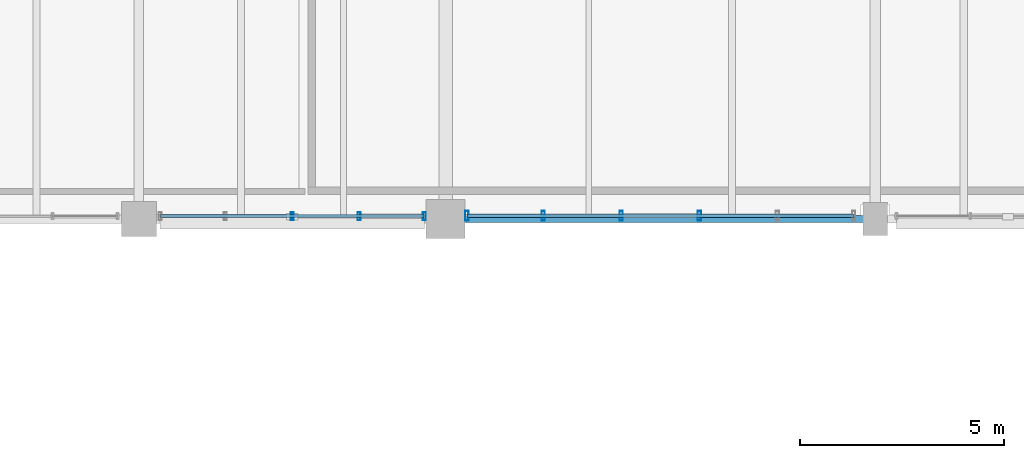
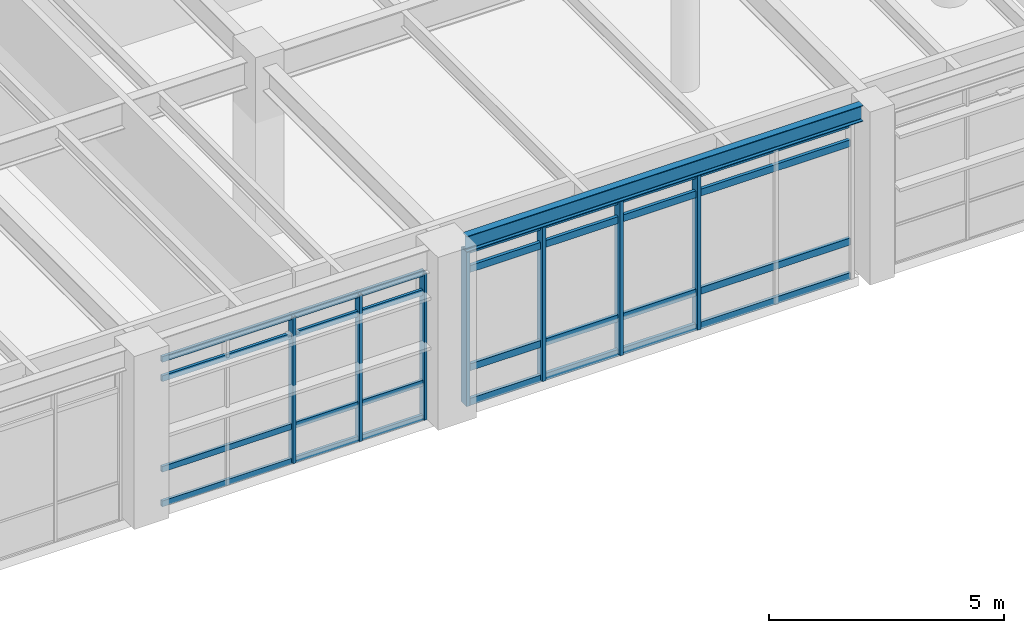
# One storey, part 59 of 200: 15 members, 1 beam, 2 elements without a shape of their own.
"""IFC4 building model written with IfcOpenShell, lengths in metres."""

import ifcopenshell
import ifcopenshell.guid

model = None  # the IFC model being written
_history = None  # IfcOwnerHistory: only IFC2X3 demands one
_inside = {}  # id of a spatial element -> (the spatial element, [elements in it])
_under = {}  # id of a project, library or spatial element -> (it, [spatial elements below it])
_declared = {}  # id of a project -> (the project, [libraries it declares])
_typed = {}  # id of a type object -> (the type object, [elements of that type])
_made_of = {}  # id of a material, layer set ... -> (it, [elements and type objects made of it])


def new_model(schema):
    """Start an empty IFC model of exactly this schema.

    Asked for "IFC4X3", IfcOpenShell would pick the latest addendum, in which some entities
    have other attributes; the version numbers below select the first issue.
    IFC2X3 requires an IfcOwnerHistory on every rooted entity: one is made here for all.
    """
    global model, _history
    if schema == "IFC4X3":
        model = ifcopenshell.file(schema_version=(4, 3, 0, 0))
    else:
        model = ifcopenshell.file(schema=schema)
    _inside.clear()
    _under.clear()
    _declared.clear()
    _typed.clear()
    _made_of.clear()
    _history = None
    if model.schema == "IFC2X3":
        org = make("IfcOrganization", Name="unknown")
        user = make(
            "IfcPersonAndOrganization",
            ThePerson=make("IfcPerson", FamilyName="unknown"),
            TheOrganization=org,
        )
        app = make(
            "IfcApplication",
            ApplicationDeveloper=org,
            Version="unknown",
            ApplicationFullName="unknown",
            ApplicationIdentifier="unknown",
        )
        _history = make(
            "IfcOwnerHistory",
            OwningUser=user,
            OwningApplication=app,
            ChangeAction="ADDED",
            CreationDate=0,
        )
    return model


def make(cls, **values):
    """One entity of the class cls with the attributes given. An attribute that is None is left unset."""
    return model.create_entity(
        cls, **{name: value for name, value in values.items() if value is not None}
    )


def rooted(cls, **values):
    """An entity with a GlobalId (a new one), such as an element, a storey or a relation."""
    return make(cls, GlobalId=ifcopenshell.guid.new(), OwnerHistory=_history, **values)


def si_unit(unit_type, name, prefix=None):
    """IfcSIUnit, for example si_unit("LENGTHUNIT", "METRE", prefix="MILLI")."""
    return make("IfcSIUnit", UnitType=unit_type, Prefix=prefix, Name=name)


def assignment(units):
    """IfcUnitAssignment: the units of a project."""
    return None if units is None else make("IfcUnitAssignment", Units=units)


def point(xyz):
    """IfcCartesianPoint."""
    return None if xyz is None else make("IfcCartesianPoint", Coordinates=xyz)


def direction(xyz):
    """IfcDirection."""
    return None if xyz is None else make("IfcDirection", DirectionRatios=xyz)


def frame(location, z_axis=None, x_axis=None):
    """IfcAxis2Placement3D, a coordinate frame: its origin and axes. An axis left out is left unset."""
    return make(
        "IfcAxis2Placement3D",
        Location=point(location),
        Axis=direction(z_axis),
        RefDirection=direction(x_axis),
    )


def frame_2d(location, x_axis=None):
    """IfcAxis2Placement2D, a coordinate frame in the plane: its origin and x axis."""
    return make(
        "IfcAxis2Placement2D", Location=point(location), RefDirection=direction(x_axis)
    )


def origin():
    """The frame at (0, 0, 0) with its axes left unset."""
    return frame((0.0, 0.0, 0.0))


def origin_2d():
    """The frame at (0, 0) in the plane with its x axis left unset."""
    return frame_2d((0.0, 0.0))


def place(relative_to, where):
    """IfcLocalPlacement: puts the frame where relative to a parent placement (None: the world)."""
    return make(
        "IfcLocalPlacement", PlacementRelTo=relative_to, RelativePlacement=where
    )


def context(
    kind, dimensions, precision=None, world=None, true_north=None, identifier=None
):
    """IfcGeometricRepresentationContext, for example the 3D "Model" context."""
    return make(
        "IfcGeometricRepresentationContext",
        ContextIdentifier=identifier,
        ContextType=kind,
        CoordinateSpaceDimension=dimensions,
        Precision=precision,
        WorldCoordinateSystem=world,
        TrueNorth=true_north,
    )


def subcontext(parent, identifier, kind, view, scale=None):
    """IfcGeometricRepresentationSubContext, for example "Body" below "Model"."""
    return make(
        "IfcGeometricRepresentationSubContext",
        ContextIdentifier=identifier,
        ContextType=kind,
        ParentContext=parent,
        TargetScale=scale,
        TargetView=view,
    )


def project(units=None, contexts=None):
    """IfcProject with its units and contexts."""
    return rooted(
        "IfcProject",
        Name="project",
        RepresentationContexts=contexts,
        UnitsInContext=assignment(units),
    )


def spatial(cls, under=None, at=None, **own):
    """A site, building, storey or space (cls), placed at a placement, below another one or the project."""
    s = rooted(cls, ObjectPlacement=at, **own)
    if under is not None:
        _under.setdefault(under.id(), (under, []))[1].append(s)
    return s


def profile(cls, at=None, kind="AREA", **sizes):
    """A parametric profile (cls). Its sizes go by their IFC names, for example OverallWidth=200.0."""
    return make(cls, ProfileType=kind, Position=at, **sizes)


def hollow_rectangle(**sizes):
    """IfcRectangleHollowProfileDef."""
    return profile("IfcRectangleHollowProfileDef", **sizes)


def i_section(**sizes):
    """IfcIShapeProfileDef."""
    return profile("IfcIShapeProfileDef", **sizes)


def extrude(swept, where, along, depth):
    """IfcExtrudedAreaSolid: the profile swept, set in the frame where, extruded along a direction by depth."""
    return make(
        "IfcExtrudedAreaSolid",
        SweptArea=swept,
        Position=where,
        ExtrudedDirection=direction(along),
        Depth=depth,
    )


def shape(context_of_items, identifier, shape_type, items):
    """IfcShapeRepresentation: the items that make up one representation, for example the "Body"."""
    return make(
        "IfcShapeRepresentation",
        ContextOfItems=context_of_items,
        RepresentationIdentifier=identifier,
        RepresentationType=shape_type,
        Items=items,
    )


def material(Name=None, Category=None):
    """IfcMaterial."""
    return make("IfcMaterial", Name=Name, Category=Category)


def material_profile(
    of_material, cross_section, Name=None, Category=None, Priority=None
):
    """IfcMaterialProfile: a cross section and its material."""
    return make(
        "IfcMaterialProfile",
        Name=Name,
        Material=of_material,
        Profile=cross_section,
        Priority=Priority,
        Category=Category,
    )


def profile_set(profiles, Name=None, composite=None):
    """IfcMaterialProfileSet."""
    return make(
        "IfcMaterialProfileSet",
        Name=Name,
        MaterialProfiles=profiles,
        CompositeProfile=composite,
    )


def made_of(thing, what):
    """Note that an element or type object is made of a material, layer set ...; save() writes the relation."""
    if what is not None:
        _made_of.setdefault(what.id(), (what, []))[1].append(thing)
    return thing


def type_object(cls, material=None, **own):
    """A type object (cls), such as IfcWallType, which elements share."""
    return made_of(rooted(cls, **own), material)


def element(
    cls,
    number,
    at=None,
    inside=None,
    cuts=None,
    type_object=None,
    material=None,
    context=None,
    identifier="Body",
    shape_type=None,
    held_by="IfcProductDefinitionShape",
    body=None,
    shapes=None,
    **own,
):
    """One element of the class cls, such as IfcWall. Its Tag is "e" and its number.

    at: its placement. inside: the storey or other place that contains it. cuts: it is an
    opening in that element (IfcRelVoidsElement). A single representation is given by context,
    identifier, shape_type and body (its items); several are given by shapes. held_by: the class
    of the entity that holds the representations. save() writes the other relations.
    """
    e = rooted(cls, Tag="e%d" % number, ObjectPlacement=at, **own)
    if body is not None:
        shapes = [shape(context, identifier, shape_type, body)]
    if shapes is not None:
        e.Representation = make(held_by, Representations=shapes)
    if inside is not None:
        _inside.setdefault(inside.id(), (inside, []))[1].append(e)
    if cuts is not None:
        rooted(
            "IfcRelVoidsElement", RelatingBuildingElement=cuts, RelatedOpeningElement=e
        )
    if type_object is not None:
        _typed.setdefault(type_object.id(), (type_object, []))[1].append(e)
    return made_of(e, material)


def aggregate(whole, parts):
    """IfcRelAggregates: a whole, such as a stair, and the parts it consists of."""
    return rooted("IfcRelAggregates", RelatingObject=whole, RelatedObjects=parts)


def save(model, path):
    """Write the relations noted so far, then the file.

    IfcRelAggregates (storeys below a building ...), IfcRelContainedInSpatialStructure (elements
    in a storey), IfcRelDefinesByType, IfcRelAssociatesMaterial and IfcRelDeclares: one each for
    every whole, place, type object, material and project.
    """
    for whole, parts in _under.values():
        aggregate(whole, parts)
    for where, things in _inside.values():
        rooted(
            "IfcRelContainedInSpatialStructure",
            RelatedElements=things,
            RelatingStructure=where,
        )
    for kind, things in _typed.values():
        rooted("IfcRelDefinesByType", RelatedObjects=things, RelatingType=kind)
    for what, things in _made_of.values():
        rooted("IfcRelAssociatesMaterial", RelatedObjects=things, RelatingMaterial=what)
    for by, libraries in _declared.values():
        rooted("IfcRelDeclares", RelatingContext=by, RelatedDefinitions=libraries)
    model.write(path)


model = new_model("IFC4")

# Units and contexts
model_context = context("Model", 3, precision=1e-05, world=origin(), true_north=direction((0.0, 1.0)))
body_context = subcontext(model_context, "Body", "Model", "MODEL_VIEW")
ifc_project = project(units=[si_unit("LENGTHUNIT", "METRE"), si_unit("AREAUNIT", "SQUARE_METRE"), si_unit("VOLUMEUNIT", "CUBIC_METRE"), si_unit("PLANEANGLEUNIT", "RADIAN"), si_unit("MASSUNIT", "GRAM", prefix="KILO"), si_unit("THERMODYNAMICTEMPERATUREUNIT", "KELVIN"), si_unit("POWERUNIT", "WATT")], contexts=[model_context])

# Site, building, storey
site_placement = place(None, origin())
site = spatial("IfcSite", under=ifc_project, at=site_placement, CompositionType="ELEMENT")
building_placement = place(site_placement, origin())
building = spatial("IfcBuilding", under=site, at=building_placement, Name="Tepalcoro Natatorium and Aquatics Centre", CompositionType="ELEMENT")
storey_placement = place(building_placement, frame((0.0, 0.0, 5.39990234375)))
storey = spatial("IfcBuildingStorey", under=building, at=storey_placement, Name="L01", CompositionType="ELEMENT", Elevation=5.39990234375)

# Curtain wall, members
ifc_material_1 = material(Name="Bronze-Anodised Extruded Aluminium Alloy EN AW-6063 T6", Category="aluminium")
curtain_wall_type_1 = type_object("IfcCurtainWallType", Name="CW_V4_VILLAGE", PredefinedType="USERDEFINED", material=ifc_material_1)
curtain_wall_1_placement = place(storey_placement, origin())
curtain_wall_1 = element("IfcCurtainWall", 1, at=curtain_wall_1_placement, inside=storey, type_object=curtain_wall_type_1, Name="V4 L01 S Unitised Curtain Wall Bay 3", ObjectType="UNITISED STOREFRONT", PredefinedType="USERDEFINED")
ifc_material_profile_1 = material_profile(ifc_material_1, hollow_rectangle(XDim=0.070068359375, YDim=0.199951171875, WallThickness=0.0048828125, at=origin_2d()), Name="AL70X200X5")
ifc_profile_set_1 = profile_set([ifc_material_profile_1], Name="Bronze-Anodised Extruded Aluminium Alloy EN AW-6063 T6")
member_type_1 = type_object("IfcMemberType", Name="CW_MUL_70x200", PredefinedType="MULLION", material=ifc_profile_set_1)
member_1_placement = place(storey_placement, frame((32.25, 86.0712890625, 0.02001953125), z_axis=(0.0, 0.0, 1.0), x_axis=(1.0, 0.0, 0.0)))
member_1 = element("IfcMember", 2, at=member_1_placement, type_object=member_type_1, Name="CW_V4_VILLAGE Curtain Wall Mullion", PredefinedType="MULLION", context=body_context, shape_type="SweptSolid", body=[
    extrude(hollow_rectangle(XDim=0.070068359375, YDim=0.199951171875, WallThickness=0.0048828125, at=origin_2d()), origin(), (0.0, 0.0, 1.0), 3.818115234375),
])
member_2_placement = place(storey_placement, frame((33.885009765625, 86.0712890625, 0.02001953125), z_axis=(0.0, 0.0, 1.0), x_axis=(1.0, 0.0, 0.0)))
member_2 = element("IfcMember", 3, at=member_2_placement, type_object=member_type_1, Name="CW_V4_VILLAGE Curtain Wall Mullion", PredefinedType="MULLION", context=body_context, shape_type="SweptSolid", body=[
    extrude(hollow_rectangle(XDim=0.070068359375, YDim=0.199951171875, WallThickness=0.0048828125, at=origin_2d()), origin(), (0.0, 0.0, 1.0), 3.818115234375),
])
member_3_placement = place(storey_placement, frame((35.47998046875, 86.0712890625, 0.02001953125), z_axis=(0.0, 0.0, 1.0), x_axis=(1.0, 0.0, 0.0)))
member_3 = element("IfcMember", 4, at=member_3_placement, type_object=member_type_1, Name="CW_V4_VILLAGE Curtain Wall Mullion", PredefinedType="MULLION", context=body_context, shape_type="SweptSolid", body=[
    extrude(hollow_rectangle(XDim=0.070068359375, YDim=0.199951171875, WallThickness=0.0048828125, at=origin_2d()), origin(), (0.0, 0.0, 1.0), 3.818115234375),
])

curtain_wall_type_2 = type_object("IfcCurtainWallType", Name="CW_V5_LOWER", PredefinedType="USERDEFINED", material=ifc_material_1)
curtain_wall_2_placement = place(storey_placement, origin())
curtain_wall_2 = element("IfcCurtainWall", 5, at=curtain_wall_2_placement, inside=storey, type_object=curtain_wall_type_2, Name="V4 L01 S Unitised Curtain Wall Bay 4", ObjectType="UNITISED STOREFRONT", PredefinedType="USERDEFINED")
ifc_material_profile_2 = material_profile(ifc_material_1, hollow_rectangle(XDim=0.080078125, YDim=0.239990234375, WallThickness=0.0048828125, at=origin_2d()), Name="AL80X240X5")
ifc_profile_set_2 = profile_set([ifc_material_profile_2], Name="Bronze-Anodised Extruded Aluminium Alloy EN AW-6063 T6")
member_type_2 = type_object("IfcMemberType", Name="CW_MUL_80x240", PredefinedType="MULLION", material=ifc_profile_set_2)
member_4_placement = place(storey_placement, frame((36.52001953125, 86.080078125, 0.02001953125), z_axis=(0.0, 0.0, 1.0), x_axis=(1.0, 0.0, 0.0)))
member_4 = element("IfcMember", 6, at=member_4_placement, type_object=member_type_2, Name="CW_V5_LOWER Curtain Wall Mullion", PredefinedType="MULLION", context=body_context, shape_type="SweptSolid", body=[
    extrude(hollow_rectangle(XDim=0.080078125, YDim=0.239990234375, WallThickness=0.0048828125, at=origin_2d()), origin(), (0.0, 0.0, 1.0), 4.01708984375),
])
member_5_placement = place(storey_placement, frame((38.387939453125, 86.080078125, 0.02001953125), z_axis=(0.0, 0.0, 1.0), x_axis=(1.0, 0.0, 0.0)))
member_5 = element("IfcMember", 7, at=member_5_placement, type_object=member_type_2, Name="CW_V5_LOWER Curtain Wall Mullion", PredefinedType="MULLION", context=body_context, shape_type="SweptSolid", body=[
    extrude(hollow_rectangle(XDim=0.080078125, YDim=0.239990234375, WallThickness=0.0048828125, at=origin_2d()), origin(), (0.0, 0.0, 1.0), 4.01708984375),
])
member_6_placement = place(storey_placement, frame((40.2958984375, 86.080078125, 0.02001953125), z_axis=(0.0, 0.0, 1.0), x_axis=(1.0, 0.0, 0.0)))
member_6 = element("IfcMember", 8, at=member_6_placement, type_object=member_type_2, Name="CW_V5_LOWER Curtain Wall Mullion", PredefinedType="MULLION", context=body_context, shape_type="SweptSolid", body=[
    extrude(hollow_rectangle(XDim=0.080078125, YDim=0.239990234375, WallThickness=0.0048828125, at=origin_2d()), origin(), (0.0, 0.0, 1.0), 4.01708984375),
])
member_7_placement = place(storey_placement, frame((42.2041015625, 86.080078125, 0.02001953125), z_axis=(0.0, 0.0, 1.0), x_axis=(1.0, 0.0, 0.0)))
member_7 = element("IfcMember", 9, at=member_7_placement, type_object=member_type_2, Name="CW_V5_LOWER Curtain Wall Mullion", PredefinedType="MULLION", context=body_context, shape_type="SweptSolid", body=[
    extrude(hollow_rectangle(XDim=0.080078125, YDim=0.239990234375, WallThickness=0.0048828125, at=origin_2d()), origin(), (0.0, 0.0, 1.0), 4.01708984375),
])

# Member
ifc_material_profile_3 = material_profile(ifc_material_1, hollow_rectangle(XDim=0.070068359375, YDim=0.14990234375, WallThickness=0.00390625, at=origin_2d()), Name="AL70X150X4")
ifc_profile_set_3 = profile_set([ifc_material_profile_3], Name="Bronze-Anodised Extruded Aluminium Alloy EN AW-6063 T6")
member_type_3 = type_object("IfcMemberType", Name="CW_TRN_70x150", PredefinedType="USERDEFINED", material=ifc_profile_set_3)
member_8_placement = place(storey_placement, frame((29.030029296875, 86.0712890625, 0.050048828125), z_axis=(1.0, 0.0, 0.0), x_axis=(0.0, 1.0, 0.0)))
member_8 = element("IfcMember", 10, at=member_8_placement, type_object=member_type_3, Name="CW_V4_VILLAGE Curtain Wall Transom", ObjectType="TRANSOM", PredefinedType="USERDEFINED", context=body_context, shape_type="SweptSolid", body=[
    extrude(hollow_rectangle(XDim=0.070068359375, YDim=0.14990234375, WallThickness=0.00390625, at=origin_2d()), origin(), (0.0, 0.0, 1.0), 6.43994140625),
])

member_9_placement = place(storey_placement, frame((29.030029296875, 86.0712890625, 0.9501953125), z_axis=(1.0, 0.0, 0.0), x_axis=(0.0, 1.0, 0.0)))
member_9 = element("IfcMember", 11, at=member_9_placement, type_object=member_type_3, Name="CW_V4_VILLAGE Curtain Wall Transom", ObjectType="TRANSOM", PredefinedType="USERDEFINED", context=body_context, shape_type="SweptSolid", body=[
    extrude(hollow_rectangle(XDim=0.070068359375, YDim=0.14990234375, WallThickness=0.00390625, at=origin_2d()), origin(), (0.0, 0.0, 1.0), 6.43994140625),
])

member_10_placement = place(storey_placement, frame((29.030029296875, 86.0712890625, 3.30810546875), z_axis=(1.0, 0.0, 0.0), x_axis=(0.0, 1.0, 0.0)))
member_10 = element("IfcMember", 12, at=member_10_placement, type_object=member_type_3, Name="CW_V4_VILLAGE Curtain Wall Transom", ObjectType="TRANSOM", PredefinedType="USERDEFINED", context=body_context, shape_type="SweptSolid", body=[
    extrude(hollow_rectangle(XDim=0.070068359375, YDim=0.14990234375, WallThickness=0.00390625, at=origin_2d()), origin(), (0.0, 0.0, 1.0), 6.43994140625),
])

member_11_placement = place(storey_placement, frame((29.030029296875, 86.0712890625, 3.80810546875), z_axis=(1.0, 0.0, 0.0), x_axis=(0.0, 1.0, 0.0)))
member_11 = element("IfcMember", 13, at=member_11_placement, type_object=member_type_3, Name="CW_V4_VILLAGE Curtain Wall Transom", ObjectType="TRANSOM", PredefinedType="USERDEFINED", context=body_context, shape_type="SweptSolid", body=[
    extrude(hollow_rectangle(XDim=0.070068359375, YDim=0.14990234375, WallThickness=0.00390625, at=origin_2d()), origin(), (0.0, 0.0, 1.0), 6.43994140625),
])

aggregate(curtain_wall_1, [member_1, member_2, member_3, member_8, member_9, member_10, member_11])

ifc_material_profile_4 = material_profile(ifc_material_1, hollow_rectangle(XDim=0.080078125, YDim=0.179931640625, WallThickness=0.0048828125, at=origin_2d()), Name="AL80X180X5")
ifc_profile_set_4 = profile_set([ifc_material_profile_4], Name="Bronze-Anodised Extruded Aluminium Alloy EN AW-6063 T6")
member_type_4 = type_object("IfcMemberType", Name="CW_TRN_80x180", PredefinedType="USERDEFINED", material=ifc_profile_set_4)
member_12_placement = place(storey_placement, frame((36.530029296875, 86.080078125, 0.050048828125), z_axis=(1.0, 0.0, 0.0), x_axis=(0.0, 1.0, 0.0)))
member_12 = element("IfcMember", 14, at=member_12_placement, type_object=member_type_4, Name="CW_V5_LOWER Curtain Wall Transom", ObjectType="TRANSOM", PredefinedType="USERDEFINED", context=body_context, shape_type="SweptSolid", body=[
    extrude(hollow_rectangle(XDim=0.080078125, YDim=0.179931640625, WallThickness=0.0048828125, at=origin_2d()), origin(), (0.0, 0.0, 1.0), 9.43994140625),
])

member_13_placement = place(storey_placement, frame((36.530029296875, 86.080078125, 0.9501953125), z_axis=(1.0, 0.0, 0.0), x_axis=(0.0, 1.0, 0.0)))
member_13 = element("IfcMember", 15, at=member_13_placement, type_object=member_type_4, Name="CW_V5_LOWER Curtain Wall Transom", ObjectType="TRANSOM", PredefinedType="USERDEFINED", context=body_context, shape_type="SweptSolid", body=[
    extrude(hollow_rectangle(XDim=0.080078125, YDim=0.179931640625, WallThickness=0.0048828125, at=origin_2d()), origin(), (0.0, 0.0, 1.0), 9.43994140625),
])

member_14_placement = place(storey_placement, frame((36.530029296875, 86.080078125, 3.507080078125), z_axis=(1.0, 0.0, 0.0), x_axis=(0.0, 1.0, 0.0)))
member_14 = element("IfcMember", 16, at=member_14_placement, type_object=member_type_4, Name="CW_V5_LOWER Curtain Wall Transom", ObjectType="TRANSOM", PredefinedType="USERDEFINED", context=body_context, shape_type="SweptSolid", body=[
    extrude(hollow_rectangle(XDim=0.080078125, YDim=0.179931640625, WallThickness=0.0048828125, at=origin_2d()), origin(), (0.0, 0.0, 1.0), 9.43994140625),
])

member_15_placement = place(storey_placement, frame((36.530029296875, 86.080078125, 4.007080078125), z_axis=(1.0, 0.0, 0.0), x_axis=(0.0, 1.0, 0.0)))
member_15 = element("IfcMember", 17, at=member_15_placement, type_object=member_type_4, Name="CW_V5_LOWER Curtain Wall Transom", ObjectType="TRANSOM", PredefinedType="USERDEFINED", context=body_context, shape_type="SweptSolid", body=[
    extrude(hollow_rectangle(XDim=0.080078125, YDim=0.179931640625, WallThickness=0.0048828125, at=origin_2d()), origin(), (0.0, 0.0, 1.0), 9.43994140625),
])

aggregate(curtain_wall_2, [member_4, member_5, member_6, member_7, member_12, member_13, member_14, member_15])

# Beam
ifc_material_2 = material(Name="Steel ASTM A992 Grade 50 (Fy 345 MPa)", Category="steel")
ifc_material_profile_5 = material_profile(ifc_material_2, i_section(OverallWidth=0.179931640625, OverallDepth=0.4130859375, WebThickness=0.010009765625, FlangeThickness=0.01611328125, FilletRadius=0.013916015625, at=origin_2d()), Name="W16X50")
ifc_profile_set_5 = profile_set([ifc_material_profile_5], Name="Steel ASTM A992 Grade 50 (Fy 345 MPa)")
beam_type = type_object("IfcBeamType", Name="SP_HSS300x200x12", PredefinedType="SPANDREL", material=ifc_profile_set_5)
beam_placement = place(storey_placement, frame((36.4599609375, 86.0, 4.278564453125), z_axis=(1.0, 0.0, 0.0), x_axis=(0.0, 1.0, 0.0)))
element("IfcBeam", 18, at=beam_placement, inside=storey, type_object=beam_type, Name="V4 L01 Grid Girder X", PredefinedType="SPANDREL", context=body_context, shape_type="SweptSolid", body=[
    extrude(i_section(OverallWidth=0.179931640625, OverallDepth=0.4130859375, WebThickness=0.010009765625, FlangeThickness=0.01611328125, FilletRadius=0.013916015625, at=origin_2d()), origin(), (0.0, 0.0, 1.0), 9.755126953125),
])

save(model, "model.ifc")
